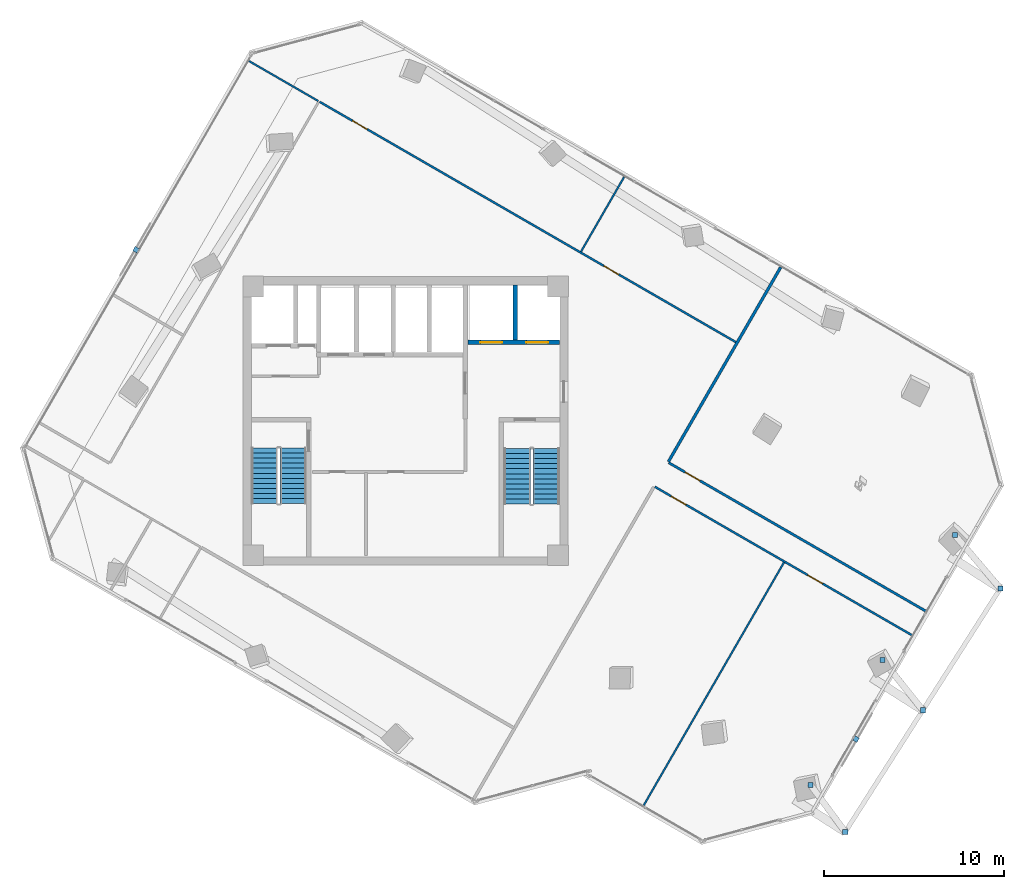
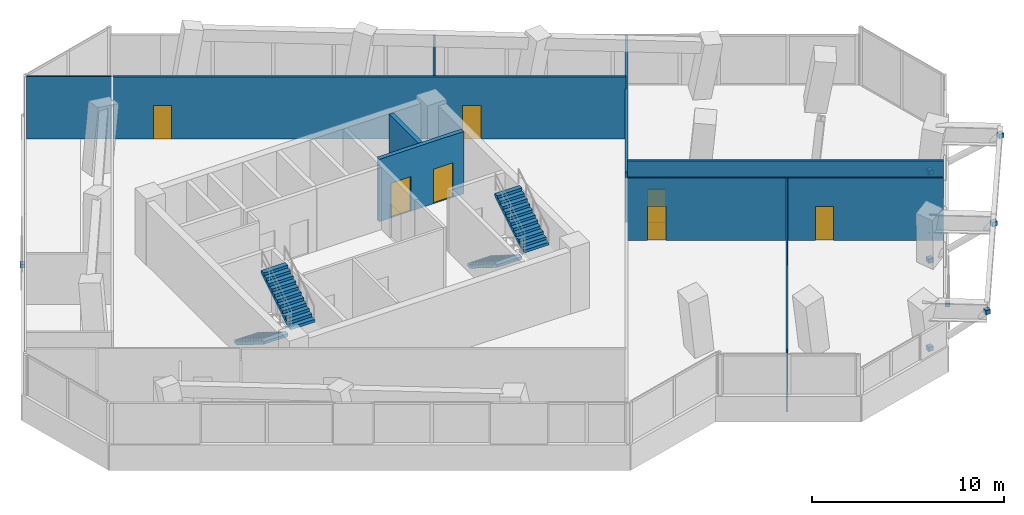
# One storey, part 19 of 22: 9 walls, 8 discrete accessories, 7 doors, 4 stair flights, 7 openings, 2 elements without a shape of their own.
"""IFC4 building model written with IfcOpenShell, lengths in metres."""

from ifc_helpers import new_model, si_unit, direction, frame, frame_2d, origin, origin_2d, place, context, subcontext, project, spatial, polyline, rectangle, outline, extrude, source, transform, mapped, material, layer, layer_set, type_object, element, fill, aggregate, save


model = new_model("IFC4")

# Units and contexts
model_context = context("Model", 3, precision=1e-05, world=origin(), true_north=direction((0.0, 1.0)))
body_context = subcontext(model_context, "Body", "Model", "MODEL_VIEW")
ifc_project = project(units=[si_unit("LENGTHUNIT", "METRE"), si_unit("AREAUNIT", "SQUARE_METRE"), si_unit("VOLUMEUNIT", "CUBIC_METRE"), si_unit("PLANEANGLEUNIT", "RADIAN"), si_unit("MASSUNIT", "GRAM", prefix="KILO")], contexts=[model_context])

# Site, building, storey
site_placement = place(None, origin())
site = spatial("IfcSite", under=ifc_project, at=site_placement, CompositionType="ELEMENT")
building_placement = place(site_placement, origin())
building = spatial("IfcBuilding", under=site, at=building_placement, Name="Torre Montelarca", CompositionType="ELEMENT")
storey_placement = place(building_placement, frame((0.0, 0.0, 183.39990234375)))
storey = spatial("IfcBuildingStorey", under=building, at=storey_placement, Name="L41", CompositionType="ELEMENT", Elevation=183.39990234375)

# Wall, openings, doors
ifc_material_1 = material(Name="Concrete C40/50", Category="concrete")
ifc_layer_1 = layer(ifc_material_1, 0.25, Name="Concrete C40/50", Category="concrete")
ifc_layer_set_1 = layer_set([ifc_layer_1], Name="Concrete C40/50")
wall_type_1 = type_object("IfcWallType", Name="CW-SHAFT-250", PredefinedType="SHEAR", material=ifc_layer_set_1)
wall_1_placement = place(storey_placement, frame((21.449951171875, 36.35009765625, 0.0), z_axis=(0.0, 0.0, 1.0), x_axis=(1.0, 0.0, 0.0)))
wall_1 = element("IfcWall", 1, at=wall_1_placement, inside=storey, type_object=wall_type_1, Name="L41 Core Shear Wall SH-FF-S", PredefinedType="SHEAR", context=body_context, shape_type="SweptSolid", body=[
    extrude(rectangle(XDim=5.090087890625, YDim=0.25, at=frame_2d((2.544921875, 0.0))), origin(), (0.0, 0.0, 1.0), 3.960205078125),
])
opening_1_placement = place(wall_1_placement, frame((0.699951171875, 0.0, 0.0)))
opening_1 = element("IfcOpeningElement", 2, at=opening_1_placement, cuts=wall_1, Name="Opening LD-120", PredefinedType="OPENING", context=body_context, shape_type="SweptSolid", body=[
    extrude(rectangle(XDim=1.199951171875, YDim=2.199951171875, at=frame_2d((0.60009765625, 1.10009765625))), frame((0.0, 0.135009765625, 0.0), z_axis=(0.0, -1.0, 0.0), x_axis=(1.0, 0.0, 0.0)), (0.0, 0.0, 1.0), 0.27001953125),
])
opening_2_placement = place(wall_1_placement, frame((3.25, 0.0, 0.0)))
opening_2 = element("IfcOpeningElement", 3, at=opening_2_placement, cuts=wall_1, Name="Opening LD-120", PredefinedType="OPENING", context=body_context, shape_type="SweptSolid", body=[
    extrude(rectangle(XDim=1.199951171875, YDim=2.199951171875, at=frame_2d((0.60009765625, 1.10009765625))), frame((0.0, 0.135009765625, 0.0), z_axis=(0.0, -1.0, 0.0), x_axis=(1.0, 0.0, 0.0)), (0.0, 0.0, 1.0), 0.27001953125),
])
ifc_material_2 = material(Name="Brushed stainless steel AISI 316", Category="steel")
door_type_1 = type_object("IfcDoorType", Name="DR-LIFT-120", OperationType="SLIDING_TO_RIGHT", PredefinedType="DOOR", material=ifc_material_2)
shared_shape_1 = source(origin(), body_context, "Body", "SweptSolid", [
    extrude(rectangle(XDim=1.199951171875, YDim=2.199951171875, at=frame_2d((0.60009765625, 1.10009765625))), frame((0.0, 0.02490234375, 0.0), z_axis=(0.0, -1.0, 0.0), x_axis=(1.0, 0.0, 0.0)), (0.0, 0.0, 1.0), 0.050048828125),
])
door_1_placement = place(opening_1_placement, origin())
door_1 = element("IfcDoor", 4, at=door_1_placement, inside=storey, type_object=door_type_1, Name="L41 Lift Landing Sliding Door FF-1", OperationType="SLIDING_TO_LEFT", OverallHeight=2.199951171875, OverallWidth=1.199951171875, PredefinedType="DOOR", context=body_context, shape_type="MappedRepresentation", body=[
    mapped(shared_shape_1, transform((0.0, 0.0, 0.0), scale=1.0)),
])
fill(opening_1, door_1)
door_2_placement = place(opening_2_placement, origin())
door_2 = element("IfcDoor", 5, at=door_2_placement, inside=storey, type_object=door_type_1, Name="L41 Lift Landing Sliding Door FF-2", OperationType="SLIDING_TO_RIGHT", OverallHeight=2.199951171875, OverallWidth=1.199951171875, PredefinedType="DOOR", context=body_context, shape_type="MappedRepresentation", body=[
    mapped(shared_shape_1, transform((0.0, 0.0, 0.0), scale=1.0)),
])
fill(opening_2, door_2)

# Walls
wall_2_placement = place(storey_placement, frame((24.080078125, 36.47998046875, 0.0), z_axis=(0.0, 0.0, 1.0), x_axis=(0.0, 1.0, 0.0)))
element("IfcWall", 6, at=wall_2_placement, inside=storey, type_object=wall_type_1, Name="L41 Core Shear Wall SH-FF-M", PredefinedType="SHEAR", context=body_context, shape_type="SweptSolid", body=[
    extrude(rectangle(XDim=3.06005859375, YDim=0.25, at=frame_2d((1.530029296875, 0.0))), origin(), (0.0, 0.0, 1.0), 3.960205078125),
])
ifc_material_3 = material(Name="Gypsum plasterboard on steel stud", Category="steel")
ifc_layer_2 = layer(ifc_material_3, 0.159912109375, Name="Gypsum plasterboard on steel stud", Category="steel")
ifc_layer_set_2 = layer_set([ifc_layer_2], Name="Gypsum plasterboard on steel stud")
wall_type_2 = type_object("IfcWallType", Name="PW-FIRE-160", PredefinedType="PARTITIONING", material=ifc_layer_set_2)
wall_3_placement = place(storey_placement, frame((32.57373046875, 29.740234375, 0.0), z_axis=(0.0, 0.0, 1.0), x_axis=(0.499986899807, 0.866032967052, 0.0)))
element("IfcWall", 7, at=wall_3_placement, inside=storey, type_object=wall_type_2, Name="L41 Interior Partition W-L41-ECN", PredefinedType="PARTITIONING", context=body_context, shape_type="SweptSolid", body=[
    extrude(rectangle(XDim=12.440185546875, YDim=0.159912109375, at=frame_2d((6.22021484375, 0.0))), origin(), (0.0, 0.0, 1.0), 3.195068359375),
])
ifc_material_4 = material(Name="Acoustic laminated glass partition", Category="glass")
ifc_layer_3 = layer(ifc_material_4, 0.10009765625, Name="Acoustic laminated glass partition", Category="glass")
ifc_layer_set_3 = layer_set([ifc_layer_3], Name="Acoustic laminated glass partition")
wall_type_3 = type_object("IfcWallType", Name="PW-GLAZ-100", PredefinedType="PARTITIONING", material=ifc_layer_set_3)
wall_4_placement = place(storey_placement, frame((27.72119140625, 41.37548828125, 0.0), z_axis=(0.0, 0.0, 1.0), x_axis=(0.500009234706, 0.866020072059, 0.0)))
element("IfcWall", 8, at=wall_4_placement, inside=storey, type_object=wall_type_3, Name="L41 Interior Partition W-L41-NDIV-1", PredefinedType="PARTITIONING", context=body_context, shape_type="SweptSolid", body=[
    extrude(rectangle(XDim=4.7900390625, YDim=0.10009765625, at=frame_2d((2.39501953125, 0.0))), origin(), (0.0, 0.0, 1.0), 3.195068359375),
])
wall_5_placement = place(storey_placement, frame((9.32421875, 51.95068359375, 0.0), z_axis=(0.0, 0.0, 1.0), x_axis=(0.866036909293, -0.499980071345, 0.0)))
element("IfcWall", 9, at=wall_5_placement, inside=storey, type_object=wall_type_3, Name="L41 Interior Partition W-L41-WWGN", PredefinedType="PARTITIONING", context=body_context, shape_type="SweptSolid", body=[
    extrude(rectangle(XDim=4.429931640625, YDim=0.10009765625, at=frame_2d((2.21484375, 0.0))), origin(), (0.0, 0.0, 1.0), 3.960205078125),
])
wall_6_placement = place(storey_placement, frame((31.1962890625, 10.6748046875, 0.0), z_axis=(0.0, 0.0, 1.0), x_axis=(0.500001880682, 0.866024317969, 0.0)))
element("IfcWall", 10, at=wall_6_placement, inside=storey, type_object=wall_type_3, Name="L41 Interior Partition W-L41-SEDIV-1", PredefinedType="PARTITIONING", context=body_context, shape_type="SweptSolid", body=[
    extrude(rectangle(XDim=15.580078125, YDim=0.10009765625, at=frame_2d((7.7900390625, 0.0))), origin(), (0.0, 0.0, 1.0), 3.960205078125),
])

# Wall, openings, doors
ifc_layer_4 = layer(ifc_material_3, 0.114990234375, Name="Gypsum plasterboard on steel stud", Category="steel")
ifc_layer_set_4 = layer_set([ifc_layer_4], Name="Gypsum plasterboard on steel stud")
wall_type_4 = type_object("IfcWallType", Name="PW-PART-115", PredefinedType="PARTITIONING", material=ifc_layer_set_4)
wall_7_placement = place(storey_placement, frame((13.22998046875, 49.69580078125, 0.0), z_axis=(0.0, 0.0, 1.0), x_axis=(0.866026251752, -0.499998531275, 0.0)))
wall_7 = element("IfcWall", 11, at=wall_7_placement, inside=storey, type_object=wall_type_4, Name="L41 Interior Partition W-L41-NBOT", PredefinedType="PARTITIONING", context=body_context, shape_type="SweptSolid", body=[
    extrude(rectangle(XDim=26.68994140625, YDim=0.114990234375, at=frame_2d((13.344970703125, 0.0))), origin(), (0.0, 0.0, 1.0), 3.960205078125),
])
opening_3_placement = place(wall_7_placement, frame((2.10009765625, 0.0, 0.0)))
opening_3 = element("IfcOpeningElement", 12, at=opening_3_placement, cuts=wall_7, Name="Opening ID-095", PredefinedType="OPENING", context=body_context, shape_type="SweptSolid", body=[
    extrude(rectangle(XDim=0.949951171875, YDim=2.14990234375, at=frame_2d((0.47509765625, 1.074951171875))), frame((0.0, 0.0673828125, 0.0), z_axis=(0.0, -1.0, 0.0), x_axis=(1.0, 0.0, 0.0)), (0.0, 0.0, 1.0), 0.135009765625),
])
opening_4_placement = place(wall_7_placement, frame((18.199951171875, 0.0, 0.0)))
opening_4 = element("IfcOpeningElement", 13, at=opening_4_placement, cuts=wall_7, Name="Opening ID-095", PredefinedType="OPENING", context=body_context, shape_type="SweptSolid", body=[
    extrude(rectangle(XDim=0.949951171875, YDim=2.14990234375, at=frame_2d((0.47509765625, 1.074951171875))), frame((0.0, 0.0673828125, 0.0), z_axis=(0.0, -1.0, 0.0), x_axis=(1.0, 0.0, 0.0)), (0.0, 0.0, 1.0), 0.135009765625),
])
ifc_material_5 = material(Name="Hardwood acoustic timber veneer", Category="wood")
door_type_2 = type_object("IfcDoorType", Name="DR-INT-095", OperationType="NOTDEFINED", PredefinedType="DOOR", material=ifc_material_5)
shared_shape_2 = source(origin(), body_context, "Body", "SweptSolid", [
    extrude(rectangle(XDim=0.949951171875, YDim=2.14990234375, at=frame_2d((0.47509765625, 1.074951171875))), frame((0.0, 0.02490234375, 0.0), z_axis=(0.0, -1.0, 0.0), x_axis=(1.0, 0.0, 0.0)), (0.0, 0.0, 1.0), 0.050048828125),
])
door_3_placement = place(opening_3_placement, origin())
door_3 = element("IfcDoor", 14, at=door_3_placement, inside=storey, type_object=door_type_2, Name="L41 Interior Door 07", OperationType="SINGLE_SWING_LEFT", OverallHeight=2.14990234375, OverallWidth=0.949951171875, PredefinedType="DOOR", context=body_context, shape_type="MappedRepresentation", body=[
    mapped(shared_shape_2, transform((0.0, 0.0, 0.0), scale=1.0)),
])
fill(opening_3, door_3)
door_4_placement = place(opening_4_placement, origin())
door_4 = element("IfcDoor", 15, at=door_4_placement, inside=storey, type_object=door_type_2, Name="L41 Interior Door 08", OperationType="SINGLE_SWING_RIGHT", OverallHeight=2.14990234375, OverallWidth=0.949951171875, PredefinedType="DOOR", context=body_context, shape_type="MappedRepresentation", body=[
    mapped(shared_shape_2, transform((0.0, 0.0, 0.0), scale=1.0)),
])
fill(opening_4, door_4)

wall_8_placement = place(storey_placement, frame((31.818359375, 28.35205078125, 0.0), z_axis=(0.0, 0.0, 1.0), x_axis=(0.86602750728, -0.499996356621, 0.0)))
wall_8 = element("IfcWall", 16, at=wall_8_placement, inside=storey, type_object=wall_type_4, Name="L41 Interior Partition W-L41-SE-N", PredefinedType="PARTITIONING", context=body_context, shape_type="SweptSolid", body=[
    extrude(rectangle(XDim=16.4599609375, YDim=0.114990234375, at=frame_2d((8.22998046875, 0.0))), origin(), (0.0, 0.0, 1.0), 3.960205078125),
])
opening_5_placement = place(wall_8_placement, frame((1.050048828125, 0.0, 0.0)))
opening_5 = element("IfcOpeningElement", 17, at=opening_5_placement, cuts=wall_8, Name="Opening ID-095", PredefinedType="OPENING", context=body_context, shape_type="SweptSolid", body=[
    extrude(rectangle(XDim=0.949951171875, YDim=2.14990234375, at=frame_2d((0.47509765625, 1.074951171875))), frame((0.0, 0.0673828125, 0.0), z_axis=(0.0, -1.0, 0.0), x_axis=(1.0, 0.0, 0.0)), (0.0, 0.0, 1.0), 0.135009765625),
])
opening_6_placement = place(wall_8_placement, frame((9.7900390625, 0.0, 0.0)))
opening_6 = element("IfcOpeningElement", 18, at=opening_6_placement, cuts=wall_8, Name="Opening ID-095", PredefinedType="OPENING", context=body_context, shape_type="SweptSolid", body=[
    extrude(rectangle(XDim=0.949951171875, YDim=2.14990234375, at=frame_2d((0.47509765625, 1.074951171875))), frame((0.0, 0.0673828125, 0.0), z_axis=(0.0, -1.0, 0.0), x_axis=(1.0, 0.0, 0.0)), (0.0, 0.0, 1.0), 0.135009765625),
])
door_5_placement = place(opening_5_placement, origin())
door_5 = element("IfcDoor", 19, at=door_5_placement, inside=storey, type_object=door_type_2, Name="L41 Interior Door 12", OperationType="SINGLE_SWING_LEFT", OverallHeight=2.14990234375, OverallWidth=0.949951171875, PredefinedType="DOOR", context=body_context, shape_type="MappedRepresentation", body=[
    mapped(shared_shape_2, transform((0.0, 0.0, 0.0), scale=1.0)),
])
fill(opening_5, door_5)
door_6_placement = place(opening_6_placement, origin())
door_6 = element("IfcDoor", 20, at=door_6_placement, inside=storey, type_object=door_type_2, Name="L41 Interior Door 13", OperationType="SINGLE_SWING_RIGHT", OverallHeight=2.14990234375, OverallWidth=0.949951171875, PredefinedType="DOOR", context=body_context, shape_type="MappedRepresentation", body=[
    mapped(shared_shape_2, transform((0.0, 0.0, 0.0), scale=1.0)),
])
fill(opening_6, door_6)

# Wall, opening, door
ifc_layer_5 = layer(ifc_material_3, 0.135009765625, Name="Gypsum plasterboard on steel stud", Category="steel")
ifc_layer_set_5 = layer_set([ifc_layer_5], Name="Gypsum plasterboard on steel stud")
wall_type_5 = type_object("IfcWallType", Name="PW-PART-135", PredefinedType="PARTITIONING", material=ifc_layer_set_5)
wall_9_placement = place(storey_placement, frame((32.58837890625, 29.685791015625, 0.0), z_axis=(0.0, 0.0, 1.0), x_axis=(0.86602750728, -0.499996356621, 0.0)))
wall_9 = element("IfcWall", 21, at=wall_9_placement, inside=storey, type_object=wall_type_5, Name="L41 Interior Partition W-L41-NE-S", PredefinedType="PARTITIONING", context=body_context, shape_type="SweptSolid", body=[
    extrude(rectangle(XDim=16.4599609375, YDim=0.135009765625, at=frame_2d((8.22998046875, 0.0))), origin(), (0.0, 0.0, 1.0), 3.960205078125),
])
opening_7_placement = place(wall_9_placement, frame((1.050048828125, 0.0, 0.0)))
opening_7 = element("IfcOpeningElement", 22, at=opening_7_placement, cuts=wall_9, Name="Opening ID-095", PredefinedType="OPENING", context=body_context, shape_type="SweptSolid", body=[
    extrude(rectangle(XDim=0.949951171875, YDim=2.14990234375, at=frame_2d((0.47509765625, 1.074951171875))), frame((0.0, 0.07763671875, 0.0), z_axis=(0.0, -1.0, 0.0), x_axis=(1.0, 0.0, 0.0)), (0.0, 0.0, 1.0), 0.155029296875),
])
door_7_placement = place(opening_7_placement, origin())
door_7 = element("IfcDoor", 23, at=door_7_placement, inside=storey, type_object=door_type_2, Name="L41 Interior Door 11", OperationType="SINGLE_SWING_LEFT", OverallHeight=2.14990234375, OverallWidth=0.949951171875, PredefinedType="DOOR", context=body_context, shape_type="MappedRepresentation", body=[
    mapped(shared_shape_2, transform((0.0, 0.0, 0.0), scale=1.0)),
])
fill(opening_7, door_7)

# Stair, stair flights
stair_type_1 = type_object("IfcStairType", Name="ST-CORE-ST1", PredefinedType="HALF_TURN_STAIR", material=ifc_material_1)
stair_1_placement = place(storey_placement, origin())
stair_1 = element("IfcStair", 24, at=stair_1_placement, inside=storey, type_object=stair_type_1, Name="L41 Protected Exit Stair ST1", PredefinedType="HALF_TURN_STAIR")
stair_flight_type_1 = type_object("IfcStairFlightType", Name="SFL-CORE-ST1", PredefinedType="STRAIGHT", material=ifc_material_1)
stair_flight_1_placement = place(storey_placement, frame((10.175048828125, 30.5, 0.0), z_axis=(0.0, 0.0, 1.0), x_axis=(0.0, -1.0, 0.0)))
stair_flight_1 = element("IfcStairFlight", 25, at=stair_flight_1_placement, type_object=stair_flight_type_1, Name="ST1 flight 1", NumberOfRisers=12, NumberOfTreads=11, PredefinedType="STRAIGHT", RiserHeight=0.175, TreadLength=0.28, context=body_context, shape_type="SweptSolid", body=[
    extrude(outline(polyline([(0.0, 0.0), (0.0, 0.175048828125), (0.280029296875, 0.175048828125), (0.280029296875, 0.35009765625), (0.56005859375, 0.35009765625), (0.56005859375, 0.52490234375), (0.840087890625, 0.52490234375), (0.840087890625, 0.699951171875), (1.1201171875, 0.699951171875), (1.1201171875, 0.875), (1.39990234375, 0.875), (1.39990234375, 1.050048828125), (1.679931640625, 1.050048828125), (1.679931640625, 1.22509765625), (1.9599609375, 1.22509765625), (1.9599609375, 1.39990234375), (2.239990234375, 1.39990234375), (2.239990234375, 1.574951171875), (2.52001953125, 1.574951171875), (2.52001953125, 1.75), (2.800048828125, 1.75), (2.800048828125, 1.925048828125), (3.080078125, 1.925048828125), (3.080078125, 2.10009765625), (3.080078125, 1.748291015625), (0.28271484375, 0.0), (0.0, 0.0)])), frame((0.0, 0.72509765625, 0.0), z_axis=(0.0, -1.0, 0.0), x_axis=(1.0, 0.0, 0.0)), (0.0, 0.0, 1.0), 1.449951171875),
])
stair_flight_2_placement = place(storey_placement, frame((11.77490234375, 27.419921875, 2.10009765625), z_axis=(0.0, 0.0, 1.0), x_axis=(0.0, 1.0, 0.0)))
stair_flight_2 = element("IfcStairFlight", 26, at=stair_flight_2_placement, type_object=stair_flight_type_1, Name="ST1 flight 2", NumberOfRisers=12, NumberOfTreads=11, PredefinedType="STRAIGHT", RiserHeight=0.175, TreadLength=0.28, context=body_context, shape_type="SweptSolid", body=[
    extrude(outline(polyline([(0.0, 0.0), (0.0, 0.175048828125), (0.280029296875, 0.175048828125), (0.280029296875, 0.35009765625), (0.56005859375, 0.35009765625), (0.56005859375, 0.52490234375), (0.840087890625, 0.52490234375), (0.840087890625, 0.699951171875), (1.1201171875, 0.699951171875), (1.1201171875, 0.875), (1.39990234375, 0.875), (1.39990234375, 1.050048828125), (1.679931640625, 1.050048828125), (1.679931640625, 1.22509765625), (1.9599609375, 1.22509765625), (1.9599609375, 1.39990234375), (2.239990234375, 1.39990234375), (2.239990234375, 1.574951171875), (2.52001953125, 1.574951171875), (2.52001953125, 1.75), (2.800048828125, 1.75), (2.800048828125, 1.925048828125), (3.080078125, 1.925048828125), (3.080078125, 2.10009765625), (3.080078125, 1.748291015625), (0.28271484375, 0.0), (0.0, 0.0)])), frame((0.0, 0.72509765625, 0.0), z_axis=(0.0, -1.0, 0.0), x_axis=(1.0, 0.0, 0.0)), (0.0, 0.0, 1.0), 1.449951171875),
])
aggregate(stair_1, [stair_flight_1, stair_flight_2])

stair_type_2 = type_object("IfcStairType", Name="ST-CORE-ST2", PredefinedType="HALF_TURN_STAIR", material=ifc_material_1)
stair_2_placement = place(storey_placement, origin())
stair_2 = element("IfcStair", 27, at=stair_2_placement, inside=storey, type_object=stair_type_2, Name="L41 Protected Exit Stair ST2", PredefinedType="HALF_TURN_STAIR")
stair_flight_type_2 = type_object("IfcStairFlightType", Name="SFL-CORE-ST2", PredefinedType="STRAIGHT", material=ifc_material_1)
stair_flight_3_placement = place(storey_placement, frame((24.179931640625, 30.469970703125, 0.0), z_axis=(0.0, 0.0, 1.0), x_axis=(0.0, -1.0, 0.0)))
stair_flight_3 = element("IfcStairFlight", 28, at=stair_flight_3_placement, type_object=stair_flight_type_2, Name="ST2 flight 1", NumberOfRisers=12, NumberOfTreads=11, PredefinedType="STRAIGHT", RiserHeight=0.175, TreadLength=0.28, context=body_context, shape_type="SweptSolid", body=[
    extrude(outline(polyline([(0.0, 0.0), (0.0, 0.175048828125), (0.280029296875, 0.175048828125), (0.280029296875, 0.35009765625), (0.56005859375, 0.35009765625), (0.56005859375, 0.52490234375), (0.840087890625, 0.52490234375), (0.840087890625, 0.699951171875), (1.1201171875, 0.699951171875), (1.1201171875, 0.875), (1.39990234375, 0.875), (1.39990234375, 1.050048828125), (1.679931640625, 1.050048828125), (1.679931640625, 1.22509765625), (1.9599609375, 1.22509765625), (1.9599609375, 1.39990234375), (2.239990234375, 1.39990234375), (2.239990234375, 1.574951171875), (2.52001953125, 1.574951171875), (2.52001953125, 1.75), (2.800048828125, 1.75), (2.800048828125, 1.925048828125), (3.080078125, 1.925048828125), (3.080078125, 2.10009765625), (3.080078125, 1.748291015625), (0.28271484375, 0.0), (0.0, 0.0)])), frame((0.0, 0.739990234375, 0.0), z_axis=(0.0, -1.0, 0.0), x_axis=(1.0, 0.0, 0.0)), (0.0, 0.0, 1.0), 1.47998046875),
])
stair_flight_4_placement = place(storey_placement, frame((25.81005859375, 27.389892578125, 2.10009765625), z_axis=(0.0, 0.0, 1.0), x_axis=(0.0, 1.0, 0.0)))
stair_flight_4 = element("IfcStairFlight", 29, at=stair_flight_4_placement, type_object=stair_flight_type_2, Name="ST2 flight 2", NumberOfRisers=12, NumberOfTreads=11, PredefinedType="STRAIGHT", RiserHeight=0.175, TreadLength=0.28, context=body_context, shape_type="SweptSolid", body=[
    extrude(outline(polyline([(0.0, 0.0), (0.0, 0.175048828125), (0.280029296875, 0.175048828125), (0.280029296875, 0.35009765625), (0.56005859375, 0.35009765625), (0.56005859375, 0.52490234375), (0.840087890625, 0.52490234375), (0.840087890625, 0.699951171875), (1.1201171875, 0.699951171875), (1.1201171875, 0.875), (1.39990234375, 0.875), (1.39990234375, 1.050048828125), (1.679931640625, 1.050048828125), (1.679931640625, 1.22509765625), (1.9599609375, 1.22509765625), (1.9599609375, 1.39990234375), (2.239990234375, 1.39990234375), (2.239990234375, 1.574951171875), (2.52001953125, 1.574951171875), (2.52001953125, 1.75), (2.800048828125, 1.75), (2.800048828125, 1.925048828125), (3.080078125, 1.925048828125), (3.080078125, 2.10009765625), (3.080078125, 1.748291015625), (0.28271484375, 0.0), (0.0, 0.0)])), frame((0.0, 0.739990234375, 0.0), z_axis=(0.0, -1.0, 0.0), x_axis=(1.0, 0.0, 0.0)), (0.0, 0.0, 1.0), 1.47998046875),
])
aggregate(stair_2, [stair_flight_3, stair_flight_4])

# Discrete accessories
ifc_material_6 = material(Name="Stainless steel AISI 316", Category="steel")
discrete_accessory_type = type_object("IfcDiscreteAccessoryType", Name="ACC-BRACKET-SS", PredefinedType="BRACKET", material=ifc_material_6)
shared_shape_3 = source(origin(), body_context, "Body", "SweptSolid", [
    extrude(rectangle(XDim=0.280029296875, YDim=0.280029296875, at=origin_2d()), origin(), (0.0, 0.0, 1.0), 0.280029296875),
])
for number, where, z_axis, x_axis, name in (
    (30, (40.44970703125, 11.82177734375, 0.01025390625), (0.0, 0.0, 1.0), (1.0, 0.0, 0.0), "L42 Raker End Connection Bracket E1-FT"),
    (31, (42.376708984375, 9.214599609375, 3.2451171875), (0.0, 0.0, 1.0), (1.0, 0.0, 0.0), "L42 Raker End Connection Bracket E1-HD"),
    (32, (44.44970703125, 18.75, 0.01025390625), (0.0, 0.0, 1.0), (1.0, 0.0, 0.0), "L42 Raker End Connection Bracket E2-FT"),
    (33, (46.67529296875, 15.961669921875, 3.2451171875), (0.0, 0.0, 1.0), (1.0, 0.0, 0.0), "L42 Raker End Connection Bracket E2-HD"),
    (34, (48.44970703125, 25.67822265625, 0.01025390625), (0.0, 0.0, 1.0), (1.0, 0.0, 0.0), "L42 Raker End Connection Bracket E3-FT"),
    (35, (50.9736328125, 22.708740234375, 3.2451171875), (0.0, 0.0, 1.0), (1.0, 0.0, 0.0), "L42 Raker End Connection Bracket E3-HD"),
):
    element("IfcDiscreteAccessory", number, at=place(storey_placement, frame(where, z_axis=z_axis, x_axis=x_axis)), inside=storey, type_object=discrete_accessory_type, Name=name, PredefinedType="BRACKET", context=body_context, shape_type="MappedRepresentation", body=[
        mapped(shared_shape_3, transform((0.0, 0.0, 0.0), scale=1.0)),
    ])
shared_shape_4 = source(origin(), body_context, "Body", "SweptSolid", [
    extrude(rectangle(XDim=0.280029296875, YDim=0.260009765625, at=origin_2d()), origin(), (0.0, 0.0, 1.0), 0.239990234375),
])
for number, where, z_axis, x_axis, name in (
    (36, (42.976318359375, 14.35791015625, 0.39990234375), (0.0, 0.0, 1.0), (0.5, 0.866025403784, 0.0), "L41 Solar Screen Support Bracket E6-1"),
    (37, (3.055908203125, 41.493896484375, 0.39990234375), (0.0, 0.0, 1.0), (-0.500001511499, -0.866024531118, 0.0), "L41 Solar Screen Support Bracket E10-1"),
):
    element("IfcDiscreteAccessory", number, at=place(storey_placement, frame(where, z_axis=z_axis, x_axis=x_axis)), inside=storey, type_object=discrete_accessory_type, Name=name, PredefinedType="BRACKET", context=body_context, shape_type="MappedRepresentation", body=[
        mapped(shared_shape_4, transform((0.0, 0.0, 0.0), scale=1.0)),
    ])

save(model, "model.ifc")
